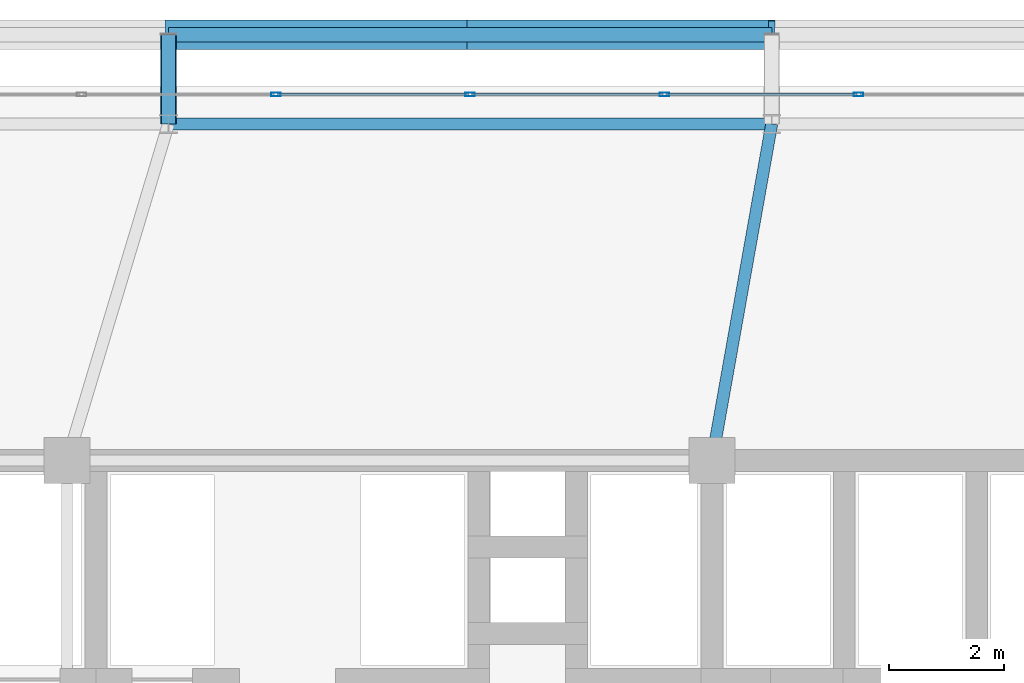
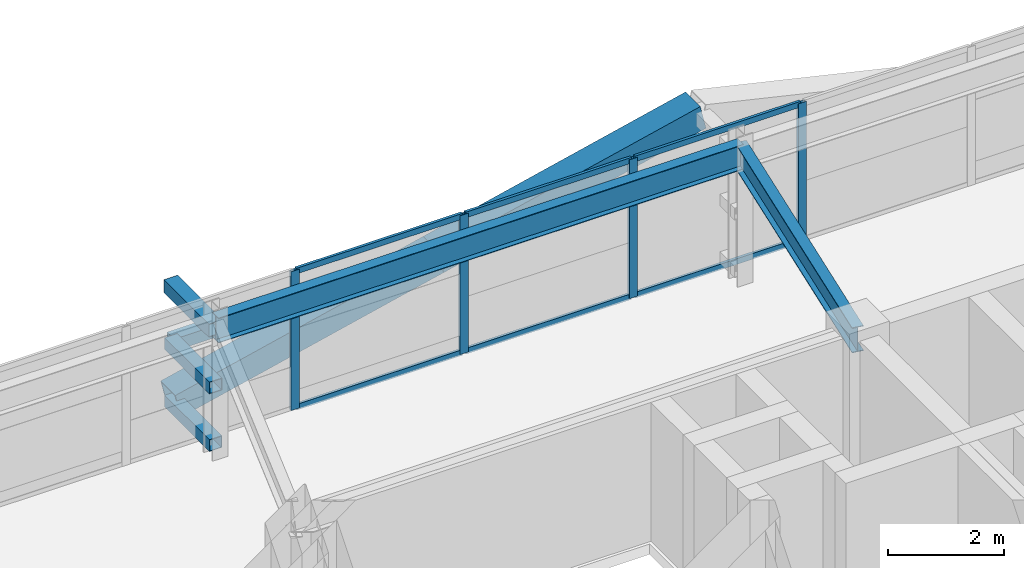
# One storey, part 37 of 59: 16 members, 2 beams, 1 element without a shape of its own.
"""IFC4 building model written with IfcOpenShell, lengths in metres."""

from ifc_helpers import new_model, si_unit, direction, frame, origin, origin_2d, place, context, subcontext, project, spatial, hollow_rectangle, i_section, extrude, source, transform, mapped, material, layer, layer_set, material_profile, profile_set, type_object, element, aggregate, save


model = new_model("IFC4")

# Units and contexts
model_context = context("Model", 3, precision=1e-05, world=origin(), true_north=direction((0.0, 1.0)))
body_context = subcontext(model_context, "Body", "Model", "MODEL_VIEW")
ifc_project = project(units=[si_unit("LENGTHUNIT", "METRE"), si_unit("AREAUNIT", "SQUARE_METRE"), si_unit("VOLUMEUNIT", "CUBIC_METRE"), si_unit("PLANEANGLEUNIT", "RADIAN"), si_unit("MASSUNIT", "GRAM", prefix="KILO")], contexts=[model_context])

# Site, building, storey
site_placement = place(None, origin())
site = spatial("IfcSite", under=ifc_project, at=site_placement, CompositionType="ELEMENT")
building_placement = place(site_placement, origin())
building = spatial("IfcBuilding", under=site, at=building_placement, Name="Taldren Reach Tower", CompositionType="ELEMENT")
storey_placement = place(building_placement, frame((0.0, 0.0, 23.10009765625)))
storey = spatial("IfcBuildingStorey", under=building, at=storey_placement, Name="L06", CompositionType="ELEMENT", Elevation=23.10009765625)

# Beams
ifc_material_1 = material(Name="Steel Gr 350 (350PLUS)", Category="steel")
ifc_material_profile_1 = material_profile(ifc_material_1, i_section(OverallWidth=0.208984375, OverallDepth=0.528076171875, WebThickness=0.009521484375, FlangeThickness=0.01318359375, at=origin_2d()), Name="530UB82.0")
ifc_profile_set_1 = profile_set([ifc_material_profile_1], Name="Steel Gr 350 (350PLUS)")
beam_type_1 = type_object("IfcBeamType", Name="SP-UB530B", PredefinedType="SPANDREL", material=ifc_profile_set_1)
shared_shape_1 = source(origin(), body_context, "Body", "SweptSolid", [
    extrude(i_section(OverallWidth=0.208984375, OverallDepth=0.528076171875, WebThickness=0.009521484375, FlangeThickness=0.01318359375, at=origin_2d()), origin(), (0.0, 0.0, 1.0), 10.47998046875),
])
beam_1_placement = place(storey_placement, frame((40.239990234375, 37.85009765625, 2.666015625), z_axis=(-1.0, 0.0, 0.0), x_axis=(0.0, -1.0, 0.0)))
element("IfcBeam", 1, at=beam_1_placement, inside=storey, type_object=beam_type_1, Name="Perimeter spandrel B1 N4-N3 L06", PredefinedType="SPANDREL", context=body_context, shape_type="MappedRepresentation", body=[
    mapped(shared_shape_1, transform((0.0, 0.0, 0.0), scale=1.0)),
])
ifc_material_profile_2 = material_profile(ifc_material_1, i_section(OverallWidth=0.208984375, OverallDepth=0.532958984375, WebThickness=0.01025390625, FlangeThickness=0.015625, at=origin_2d()), Name="530UB92.4")
ifc_profile_set_2 = profile_set([ifc_material_profile_2], Name="Steel Gr 350 (350PLUS)")
beam_type_2 = type_object("IfcBeamType", Name="BM-UB530A", PredefinedType="BEAM", material=ifc_profile_set_2)
shared_shape_2 = source(origin(), body_context, "Body", "SweptSolid", [
    extrude(i_section(OverallWidth=0.208984375, OverallDepth=0.532958984375, WebThickness=0.01025390625, FlangeThickness=0.015625, at=origin_2d()), origin(), (0.0, 0.0, 1.0), 5.94189453125),
])
beam_2_placement = place(storey_placement, frame((39.199951171875, 32.0, 2.663330078125), z_axis=(0.17503687513, 0.984561878373, 0.0), x_axis=(-0.984561878373, 0.17503687513, 0.0)))
element("IfcBeam", 2, at=beam_2_placement, inside=storey, type_object=beam_type_2, Name="Primary floor girder B1-N4 L06", PredefinedType="BEAM", context=body_context, shape_type="MappedRepresentation", body=[
    mapped(shared_shape_2, transform((0.0, 0.0, 0.0), scale=1.0)),
])

# Members
ifc_material_2 = material(Name="Steel Gr 450 (C450L0)", Category="steel")
ifc_material_profile_3 = material_profile(ifc_material_2, hollow_rectangle(XDim=0.27490234375, YDim=0.27490234375, WallThickness=0.00927734375, at=origin_2d()), Name="275x275x9.3SHS")
ifc_profile_set_3 = profile_set([ifc_material_profile_3], Name="Steel Gr 450 (C450L0)")
member_type_1 = type_object("IfcMemberType", Name="MB-TIE273", PredefinedType="STRUT", material=ifc_profile_set_3)
shared_shape_3 = source(origin(), body_context, "Body", "SweptSolid", [
    extrude(hollow_rectangle(XDim=0.27490234375, YDim=0.27490234375, WallThickness=0.00927734375, at=origin_2d()), origin(), (0.0, 0.0, 1.0), 1.5498046875),
])
member_1_placement = place(storey_placement, frame((29.760009765625, 37.85009765625, 2.64990234375), z_axis=(0.0, 1.0, 0.0), x_axis=(-1.0, 0.0, 0.0)))
element("IfcMember", 3, at=member_1_placement, inside=storey, type_object=member_type_1, Name="Exoskeleton diaphragm tie strut B1-N3 L06", PredefinedType="STRUT", context=body_context, shape_type="MappedRepresentation", body=[
    mapped(shared_shape_3, transform((0.0, 0.0, 0.0), scale=1.0)),
])
ifc_material_profile_4 = material_profile(ifc_material_2, hollow_rectangle(XDim=0.510009765625, YDim=0.510009765625, WallThickness=0.02001953125, at=origin_2d()), Name="510x510x20.0SHS")
ifc_profile_set_4 = profile_set([ifc_material_profile_4], Name="Steel Gr 450 (C450L0)")
member_type_2 = type_object("IfcMemberType", Name="MB-EXO508", PredefinedType="BRACE", material=ifc_profile_set_4)
shared_shape_4 = source(origin(), body_context, "Body", "SweptSolid", [
    extrude(hollow_rectangle(XDim=0.510009765625, YDim=0.510009765625, WallThickness=0.02001953125, at=origin_2d()), origin(), (0.0, 0.0, 1.0), 5.37890625),
])
for number, where, z_axis, x_axis, name in (
    (4, (29.760009765625, 39.39990234375, 0.219970703125), (0.974161966843, 0.0, 0.225850531007), (0.0, 1.0, 0.0), "Exoskeleton Diagrid Brace B1-N3 L06"),
    (5, (35.0, 39.39990234375, 1.434814453125), (0.97415197996, 0.0, 0.225893603143), (0.0, 1.0, 0.0), "Exoskeleton Diagrid Brace B1-N3 L06"),
):
    element("IfcMember", number, at=place(storey_placement, frame(where, z_axis=z_axis, x_axis=x_axis)), inside=storey, type_object=member_type_2, Name=name, PredefinedType="BRACE", context=body_context, shape_type="MappedRepresentation", body=[
        mapped(shared_shape_4, transform((0.0, 0.0, 0.0), scale=1.0)),
    ])
ifc_material_3 = material(Name="Steel Gr 350 (C350L0)", Category="steel")
ifc_material_profile_5 = material_profile(ifc_material_3, hollow_rectangle(XDim=0.25, YDim=0.25, WallThickness=0.010009765625, at=origin_2d()), Name="250x250x10.0SHS")
ifc_profile_set_5 = profile_set([ifc_material_profile_5], Name="Steel Gr 350 (C350L0)")
member_type_3 = type_object("IfcMemberType", Name="MB-POST250", PredefinedType="POST", material=ifc_profile_set_5)
shared_shape_5 = source(origin(), body_context, "Body", "SweptSolid", [
    extrude(hollow_rectangle(XDim=0.25, YDim=0.25, WallThickness=0.010009765625, at=origin_2d()), origin(), (0.0, 0.0, 1.0), 10.47998046875),
])
member_2_placement = place(storey_placement, frame((29.760009765625, 39.39990234375, 1.434814453125), z_axis=(1.0, 0.0, 0.0), x_axis=(0.0, 1.0, 0.0)))
element("IfcMember", 6, at=member_2_placement, inside=storey, type_object=member_type_3, Name="Exoskeleton mid-height ring chord B1-N3 L06", PredefinedType="POST", context=body_context, shape_type="MappedRepresentation", body=[
    mapped(shared_shape_5, transform((0.0, 0.0, 0.0), scale=1.0)),
])
shared_shape_6 = source(origin(), body_context, "Body", "SweptSolid", [
    extrude(hollow_rectangle(XDim=0.25, YDim=0.25, WallThickness=0.010009765625, at=origin_2d()), origin(), (0.0, 0.0, 1.0), 1.5498046875),
])
for number, where, z_axis, x_axis, name in (
    (7, (29.760009765625, 37.85009765625, 0.219970703125), (0.0, 1.0, 0.0), (-1.0, 0.0, 0.0), "Exoskeleton base diaphragm tie strut B1-N3 L06"),
    (8, (29.760009765625, 37.85009765625, 1.434814453125), (0.0, 1.0, 0.0), (-1.0, 0.0, 0.0), "Exoskeleton mid-tier diaphragm tie B1-N3 L06"),
):
    element("IfcMember", number, at=place(storey_placement, frame(where, z_axis=z_axis, x_axis=x_axis)), inside=storey, type_object=member_type_3, Name=name, PredefinedType="POST", context=body_context, shape_type="MappedRepresentation", body=[
        mapped(shared_shape_6, transform((0.0, 0.0, 0.0), scale=1.0)),
    ])

# Curtain wall, members
ifc_material_4 = material(Name="Aluminium and Low-E Glass Unitised System", Category="aluminium")
ifc_layer = layer(ifc_material_4, 0.159912109375)
ifc_layer_set = layer_set([ifc_layer], Name="Aluminium and Low-E Glass Unitised System")
curtain_wall_type = type_object("IfcCurtainWallType", Name="CW-SYS-2", PredefinedType="NOTDEFINED", material=ifc_layer_set)
curtain_wall_placement = place(storey_placement, origin())
curtain_wall = element("IfcCurtainWall", 9, at=curtain_wall_placement, inside=storey, type_object=curtain_wall_type, Name="Unitised curtain wall CW-L06-N", PredefinedType="NOTDEFINED")
ifc_material_5 = material(Name="Anodised Aluminium 6063-T6", Category="aluminium")
ifc_material_profile_6 = material_profile(ifc_material_5, hollow_rectangle(XDim=0.06494140625, YDim=0.1650390625, WallThickness=0.00390625, at=origin_2d()), Name="ALU-165x65x4RHS")
ifc_profile_set_6 = profile_set([ifc_material_profile_6], Name="Anodised Aluminium 6063-T6")
member_type_4 = type_object("IfcMemberType", Name="CW-MUL-165", PredefinedType="MULLION", material=ifc_profile_set_6)
shared_shape_7 = source(origin(), body_context, "Body", "SweptSolid", [
    extrude(hollow_rectangle(XDim=0.06494140625, YDim=0.1650390625, WallThickness=0.00390625, at=origin_2d()), origin(), (0.0, 0.0, 1.0), 2.929931640625),
])
member_3_placement = place(storey_placement, frame((41.75, 38.360107421875, 0.0), z_axis=(0.0, 0.0, 1.0), x_axis=(0.0, -1.0, 0.0)))
member_3 = element("IfcMember", 10, at=member_3_placement, type_object=member_type_4, Name="CW-2 mullion 7", PredefinedType="MULLION", context=body_context, shape_type="MappedRepresentation", body=[
    mapped(shared_shape_7, transform((0.0, 0.0, 0.0), scale=1.0)),
])
member_4_placement = place(storey_placement, frame((38.375, 38.360107421875, 0.0), z_axis=(0.0, 0.0, 1.0), x_axis=(0.0, -1.0, 0.0)))
member_4 = element("IfcMember", 11, at=member_4_placement, type_object=member_type_4, Name="CW-2 mullion 8", PredefinedType="MULLION", context=body_context, shape_type="MappedRepresentation", body=[
    mapped(shared_shape_7, transform((0.0, 0.0, 0.0), scale=1.0)),
])
member_5_placement = place(storey_placement, frame((35.0, 38.360107421875, 0.0), z_axis=(0.0, 0.0, 1.0), x_axis=(0.0, -1.0, 0.0)))
member_5 = element("IfcMember", 12, at=member_5_placement, type_object=member_type_4, Name="CW-2 mullion 9", PredefinedType="MULLION", context=body_context, shape_type="MappedRepresentation", body=[
    mapped(shared_shape_7, transform((0.0, 0.0, 0.0), scale=1.0)),
])
member_6_placement = place(storey_placement, frame((31.625, 38.360107421875, 0.0), z_axis=(0.0, 0.0, 1.0), x_axis=(0.0, -1.0, 0.0)))
member_6 = element("IfcMember", 13, at=member_6_placement, type_object=member_type_4, Name="CW-2 mullion 10", PredefinedType="MULLION", context=body_context, shape_type="MappedRepresentation", body=[
    mapped(shared_shape_7, transform((0.0, 0.0, 0.0), scale=1.0)),
])
ifc_material_profile_7 = material_profile(ifc_material_5, hollow_rectangle(XDim=0.054931640625, YDim=0.1201171875, WallThickness=0.0029296875, at=origin_2d()), Name="ALU-120x55x3RHS")
ifc_profile_set_7 = profile_set([ifc_material_profile_7], Name="Anodised Aluminium 6063-T6")
member_type_5 = type_object("IfcMemberType", Name="CW-TRN-135", PredefinedType="USERDEFINED", material=ifc_profile_set_7)
shared_shape_8 = source(origin(), body_context, "Body", "SweptSolid", [
    extrude(hollow_rectangle(XDim=0.054931640625, YDim=0.1201171875, WallThickness=0.0029296875, at=origin_2d()), origin(), (0.0, 0.0, 1.0), 3.31005859375),
])
member_7_placement = place(storey_placement, frame((41.717529296875, 38.360107421875, 0.02734375), z_axis=(-1.0, 0.0, 0.0), x_axis=(0.0, -1.0, 0.0)))
member_7 = element("IfcMember", 14, at=member_7_placement, type_object=member_type_5, Name="CW-2 transom 7.1", ObjectType="TRANSOM", PredefinedType="USERDEFINED", context=body_context, shape_type="MappedRepresentation", body=[
    mapped(shared_shape_8, transform((0.0, 0.0, 0.0), scale=1.0)),
])
member_8_placement = place(storey_placement, frame((41.717529296875, 38.360107421875, 2.90234375), z_axis=(-1.0, 0.0, 0.0), x_axis=(0.0, -1.0, 0.0)))
member_8 = element("IfcMember", 15, at=member_8_placement, type_object=member_type_5, Name="CW-2 transom 7.2", ObjectType="TRANSOM", PredefinedType="USERDEFINED", context=body_context, shape_type="MappedRepresentation", body=[
    mapped(shared_shape_8, transform((0.0, 0.0, 0.0), scale=1.0)),
])
member_9_placement = place(storey_placement, frame((38.342529296875, 38.360107421875, 0.02734375), z_axis=(-1.0, 0.0, 0.0), x_axis=(0.0, -1.0, 0.0)))
member_9 = element("IfcMember", 16, at=member_9_placement, type_object=member_type_5, Name="CW-2 transom 8.1", ObjectType="TRANSOM", PredefinedType="USERDEFINED", context=body_context, shape_type="MappedRepresentation", body=[
    mapped(shared_shape_8, transform((0.0, 0.0, 0.0), scale=1.0)),
])
member_10_placement = place(storey_placement, frame((38.342529296875, 38.360107421875, 2.90234375), z_axis=(-1.0, 0.0, 0.0), x_axis=(0.0, -1.0, 0.0)))
member_10 = element("IfcMember", 17, at=member_10_placement, type_object=member_type_5, Name="CW-2 transom 8.2", ObjectType="TRANSOM", PredefinedType="USERDEFINED", context=body_context, shape_type="MappedRepresentation", body=[
    mapped(shared_shape_8, transform((0.0, 0.0, 0.0), scale=1.0)),
])
member_11_placement = place(storey_placement, frame((34.967529296875, 38.360107421875, 0.02734375), z_axis=(-1.0, 0.0, 0.0), x_axis=(0.0, -1.0, 0.0)))
member_11 = element("IfcMember", 18, at=member_11_placement, type_object=member_type_5, Name="CW-2 transom 9.1", ObjectType="TRANSOM", PredefinedType="USERDEFINED", context=body_context, shape_type="MappedRepresentation", body=[
    mapped(shared_shape_8, transform((0.0, 0.0, 0.0), scale=1.0)),
])
member_12_placement = place(storey_placement, frame((34.967529296875, 38.360107421875, 2.90234375), z_axis=(-1.0, 0.0, 0.0), x_axis=(0.0, -1.0, 0.0)))
member_12 = element("IfcMember", 19, at=member_12_placement, type_object=member_type_5, Name="CW-2 transom 9.2", ObjectType="TRANSOM", PredefinedType="USERDEFINED", context=body_context, shape_type="MappedRepresentation", body=[
    mapped(shared_shape_8, transform((0.0, 0.0, 0.0), scale=1.0)),
])
aggregate(curtain_wall, [member_3, member_4, member_5, member_6, member_7, member_8, member_9, member_10, member_11, member_12])

save(model, "model.ifc")
